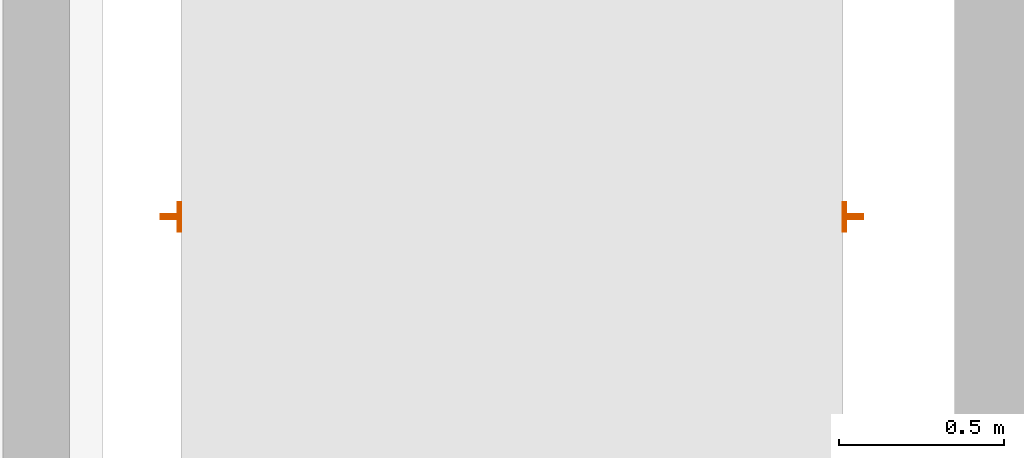
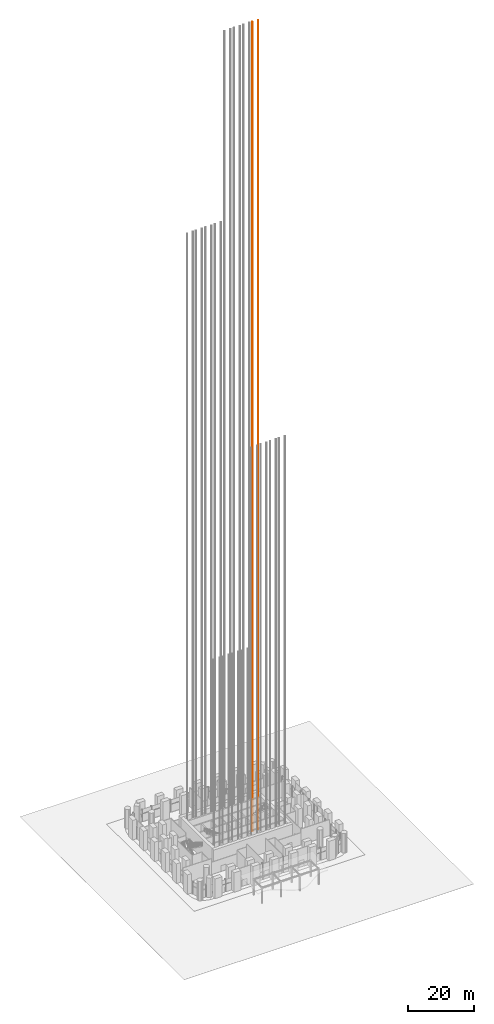
# One storey, part 32 of 32: 1 proxy.
"""IFC4 building model written with IfcOpenShell, lengths in metres."""

import ifcopenshell
import ifcopenshell.guid

model = None  # the IFC model being written
_history = None  # IfcOwnerHistory: only IFC2X3 demands one
_inside = {}  # id of a spatial element -> (the spatial element, [elements in it])
_under = {}  # id of a project, library or spatial element -> (it, [spatial elements below it])
_declared = {}  # id of a project -> (the project, [libraries it declares])
_typed = {}  # id of a type object -> (the type object, [elements of that type])
_made_of = {}  # id of a material, layer set ... -> (it, [elements and type objects made of it])


def new_model(schema):
    """Start an empty IFC model of exactly this schema.

    Asked for "IFC4X3", IfcOpenShell would pick the latest addendum, in which some entities
    have other attributes; the version numbers below select the first issue.
    IFC2X3 requires an IfcOwnerHistory on every rooted entity: one is made here for all.
    """
    global model, _history
    if schema == "IFC4X3":
        model = ifcopenshell.file(schema_version=(4, 3, 0, 0))
    else:
        model = ifcopenshell.file(schema=schema)
    _inside.clear()
    _under.clear()
    _declared.clear()
    _typed.clear()
    _made_of.clear()
    _history = None
    if model.schema == "IFC2X3":
        org = make("IfcOrganization", Name="unknown")
        user = make(
            "IfcPersonAndOrganization",
            ThePerson=make("IfcPerson", FamilyName="unknown"),
            TheOrganization=org,
        )
        app = make(
            "IfcApplication",
            ApplicationDeveloper=org,
            Version="unknown",
            ApplicationFullName="unknown",
            ApplicationIdentifier="unknown",
        )
        _history = make(
            "IfcOwnerHistory",
            OwningUser=user,
            OwningApplication=app,
            ChangeAction="ADDED",
            CreationDate=0,
        )
    return model


def make(cls, **values):
    """One entity of the class cls with the attributes given. An attribute that is None is left unset."""
    return model.create_entity(
        cls, **{name: value for name, value in values.items() if value is not None}
    )


def rooted(cls, **values):
    """An entity with a GlobalId (a new one), such as an element, a storey or a relation."""
    return make(cls, GlobalId=ifcopenshell.guid.new(), OwnerHistory=_history, **values)


def si_unit(unit_type, name, prefix=None):
    """IfcSIUnit, for example si_unit("LENGTHUNIT", "METRE", prefix="MILLI")."""
    return make("IfcSIUnit", UnitType=unit_type, Prefix=prefix, Name=name)


def assignment(units):
    """IfcUnitAssignment: the units of a project."""
    return None if units is None else make("IfcUnitAssignment", Units=units)


def point(xyz):
    """IfcCartesianPoint."""
    return None if xyz is None else make("IfcCartesianPoint", Coordinates=xyz)


def direction(xyz):
    """IfcDirection."""
    return None if xyz is None else make("IfcDirection", DirectionRatios=xyz)


def frame(location, z_axis=None, x_axis=None):
    """IfcAxis2Placement3D, a coordinate frame: its origin and axes. An axis left out is left unset."""
    return make(
        "IfcAxis2Placement3D",
        Location=point(location),
        Axis=direction(z_axis),
        RefDirection=direction(x_axis),
    )


def frame_2d(location, x_axis=None):
    """IfcAxis2Placement2D, a coordinate frame in the plane: its origin and x axis."""
    return make(
        "IfcAxis2Placement2D", Location=point(location), RefDirection=direction(x_axis)
    )


def origin():
    """The frame at (0, 0, 0) with its axes left unset."""
    return frame((0.0, 0.0, 0.0))


def origin_2d():
    """The frame at (0, 0) in the plane with its x axis left unset."""
    return frame_2d((0.0, 0.0))


def place(relative_to, where):
    """IfcLocalPlacement: puts the frame where relative to a parent placement (None: the world)."""
    return make(
        "IfcLocalPlacement", PlacementRelTo=relative_to, RelativePlacement=where
    )


def context(
    kind, dimensions, precision=None, world=None, true_north=None, identifier=None
):
    """IfcGeometricRepresentationContext, for example the 3D "Model" context."""
    return make(
        "IfcGeometricRepresentationContext",
        ContextIdentifier=identifier,
        ContextType=kind,
        CoordinateSpaceDimension=dimensions,
        Precision=precision,
        WorldCoordinateSystem=world,
        TrueNorth=true_north,
    )


def subcontext(parent, identifier, kind, view, scale=None):
    """IfcGeometricRepresentationSubContext, for example "Body" below "Model"."""
    return make(
        "IfcGeometricRepresentationSubContext",
        ContextIdentifier=identifier,
        ContextType=kind,
        ParentContext=parent,
        TargetScale=scale,
        TargetView=view,
    )


def project(units=None, contexts=None):
    """IfcProject with its units and contexts."""
    return rooted(
        "IfcProject",
        Name="project",
        RepresentationContexts=contexts,
        UnitsInContext=assignment(units),
    )


def spatial(cls, under=None, at=None, **own):
    """A site, building, storey or space (cls), placed at a placement, below another one or the project."""
    s = rooted(cls, ObjectPlacement=at, **own)
    if under is not None:
        _under.setdefault(under.id(), (under, []))[1].append(s)
    return s


def profile(cls, at=None, kind="AREA", **sizes):
    """A parametric profile (cls). Its sizes go by their IFC names, for example OverallWidth=200.0."""
    return make(cls, ProfileType=kind, Position=at, **sizes)


def t_section(**sizes):
    """IfcTShapeProfileDef."""
    return profile("IfcTShapeProfileDef", **sizes)


def extrude(swept, where, along, depth):
    """IfcExtrudedAreaSolid: the profile swept, set in the frame where, extruded along a direction by depth."""
    return make(
        "IfcExtrudedAreaSolid",
        SweptArea=swept,
        Position=where,
        ExtrudedDirection=direction(along),
        Depth=depth,
    )


def shape(context_of_items, identifier, shape_type, items):
    """IfcShapeRepresentation: the items that make up one representation, for example the "Body"."""
    return make(
        "IfcShapeRepresentation",
        ContextOfItems=context_of_items,
        RepresentationIdentifier=identifier,
        RepresentationType=shape_type,
        Items=items,
    )


def material(Name=None, Category=None):
    """IfcMaterial."""
    return make("IfcMaterial", Name=Name, Category=Category)


def made_of(thing, what):
    """Note that an element or type object is made of a material, layer set ...; save() writes the relation."""
    if what is not None:
        _made_of.setdefault(what.id(), (what, []))[1].append(thing)
    return thing


def type_object(cls, material=None, **own):
    """A type object (cls), such as IfcWallType, which elements share."""
    return made_of(rooted(cls, **own), material)


def element(
    cls,
    number,
    at=None,
    inside=None,
    cuts=None,
    type_object=None,
    material=None,
    context=None,
    identifier="Body",
    shape_type=None,
    held_by="IfcProductDefinitionShape",
    body=None,
    shapes=None,
    **own,
):
    """One element of the class cls, such as IfcWall. Its Tag is "e" and its number.

    at: its placement. inside: the storey or other place that contains it. cuts: it is an
    opening in that element (IfcRelVoidsElement). A single representation is given by context,
    identifier, shape_type and body (its items); several are given by shapes. held_by: the class
    of the entity that holds the representations. save() writes the other relations.
    """
    e = rooted(cls, Tag="e%d" % number, ObjectPlacement=at, **own)
    if body is not None:
        shapes = [shape(context, identifier, shape_type, body)]
    if shapes is not None:
        e.Representation = make(held_by, Representations=shapes)
    if inside is not None:
        _inside.setdefault(inside.id(), (inside, []))[1].append(e)
    if cuts is not None:
        rooted(
            "IfcRelVoidsElement", RelatingBuildingElement=cuts, RelatedOpeningElement=e
        )
    if type_object is not None:
        _typed.setdefault(type_object.id(), (type_object, []))[1].append(e)
    return made_of(e, material)


def aggregate(whole, parts):
    """IfcRelAggregates: a whole, such as a stair, and the parts it consists of."""
    return rooted("IfcRelAggregates", RelatingObject=whole, RelatedObjects=parts)


def save(model, path):
    """Write the relations noted so far, then the file.

    IfcRelAggregates (storeys below a building ...), IfcRelContainedInSpatialStructure (elements
    in a storey), IfcRelDefinesByType, IfcRelAssociatesMaterial and IfcRelDeclares: one each for
    every whole, place, type object, material and project.
    """
    for whole, parts in _under.values():
        aggregate(whole, parts)
    for where, things in _inside.values():
        rooted(
            "IfcRelContainedInSpatialStructure",
            RelatedElements=things,
            RelatingStructure=where,
        )
    for kind, things in _typed.values():
        rooted("IfcRelDefinesByType", RelatedObjects=things, RelatingType=kind)
    for what, things in _made_of.values():
        rooted("IfcRelAssociatesMaterial", RelatedObjects=things, RelatingMaterial=what)
    for by, libraries in _declared.values():
        rooted("IfcRelDeclares", RelatingContext=by, RelatedDefinitions=libraries)
    model.write(path)


model = new_model("IFC4")

# Units and contexts
model_context = context("Model", 3, precision=1e-05, world=origin(), true_north=direction((0.0, 1.0)))
body_context = subcontext(model_context, "Body", "Model", "MODEL_VIEW")
ifc_project = project(units=[si_unit("LENGTHUNIT", "METRE"), si_unit("AREAUNIT", "SQUARE_METRE"), si_unit("VOLUMEUNIT", "CUBIC_METRE"), si_unit("PLANEANGLEUNIT", "RADIAN"), si_unit("MASSUNIT", "GRAM", prefix="KILO")], contexts=[model_context])

# Site, building, storey
site_placement = place(None, origin())
site = spatial("IfcSite", under=ifc_project, at=site_placement, CompositionType="ELEMENT")
building_placement = place(site_placement, origin())
building = spatial("IfcBuilding", under=site, at=building_placement, Name="Cobogo Forest Laboratory Tower", CompositionType="ELEMENT")
storey_placement = place(building_placement, origin())
storey = spatial("IfcBuildingStorey", under=building, at=storey_placement, Name="L00", CompositionType="ELEMENT", Elevation=0.0)

# Proxy
ifc_material = material(Name="Steel guide rail", Category="steel")
building_element_proxy_type = type_object("IfcBuildingElementProxyType", Name="LR lift guide rails", PredefinedType="USERDEFINED", material=ifc_material)
proxy_placement = place(storey_placement, frame((37.737548828125, 31.0, 0.0)))
element("IfcBuildingElementProxy", 1, at=proxy_placement, inside=storey, type_object=building_element_proxy_type, Name="LD4 guide rails", ObjectType="LIFT GUIDE RAILS", PredefinedType="USERDEFINED", context=body_context, shape_type="SweptSolid", body=[
    extrude(t_section(Depth=0.062, FlangeWidth=0.089, WebThickness=0.0159, FlangeThickness=0.01, at=origin_2d()), frame((-1.031005859375, 0.0, -5.39990234375), z_axis=(0.0, 0.0, 1.0), x_axis=(0.0, -1.0, 0.0)), (0.0, 0.0, 1.0), 297.64990234375),
    extrude(t_section(Depth=0.062, FlangeWidth=0.089, WebThickness=0.0159, FlangeThickness=0.01, at=origin_2d()), frame((1.031005859375, 0.0, -5.39990234375), z_axis=(0.0, 0.0, 1.0), x_axis=(0.0, 1.0, 0.0)), (0.0, 0.0, 1.0), 297.64990234375),
])

save(model, "model.ifc")
